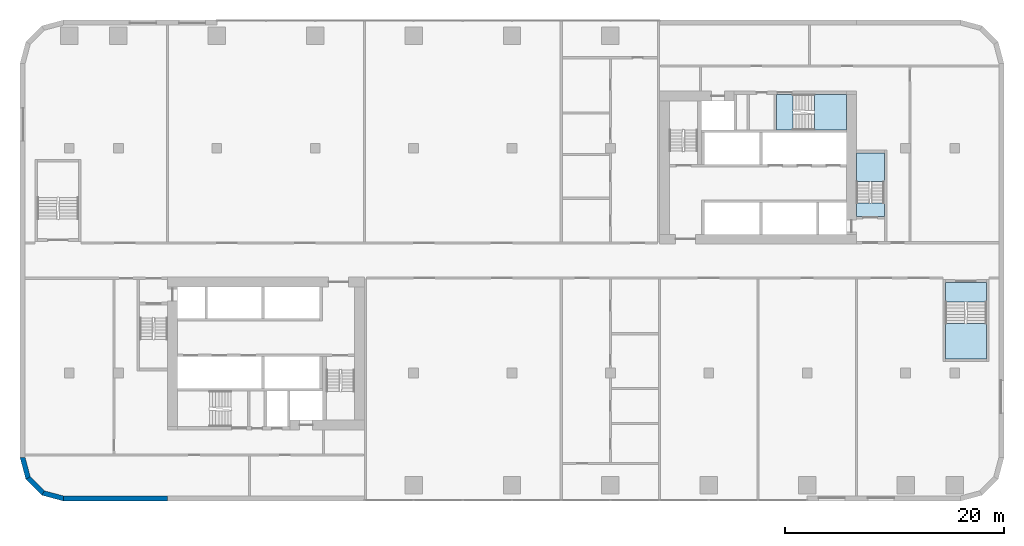
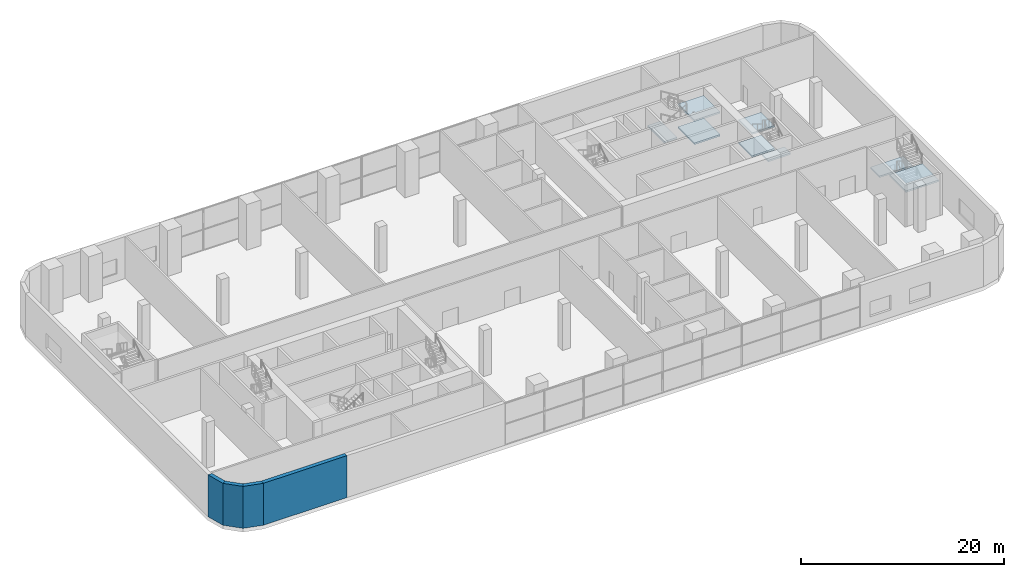
# One storey, part 8 of 21: 8 slabs, 4 walls, 3 elements without a shape of their own.
"""IFC4 building model written with IfcOpenShell, lengths in metres."""

from ifc_helpers import new_model, si_unit, direction, frame, frame_2d, origin, place, context, subcontext, project, spatial, polyline, rectangle, outline, extrude, material, layer, layer_set, type_object, element, aggregate, save


model = new_model("IFC4")

# Units and contexts
model_context = context("Model", 3, precision=1e-05, world=origin(), true_north=direction((0.0, 1.0)))
body_context = subcontext(model_context, "Body", "Model", "MODEL_VIEW")
ifc_project = project(units=[si_unit("LENGTHUNIT", "METRE"), si_unit("AREAUNIT", "SQUARE_METRE"), si_unit("VOLUMEUNIT", "CUBIC_METRE"), si_unit("PLANEANGLEUNIT", "RADIAN"), si_unit("MASSUNIT", "GRAM", prefix="KILO")], contexts=[model_context])

# Site, building, storey
site_placement = place(None, origin())
site = spatial("IfcSite", under=ifc_project, at=site_placement, CompositionType="ELEMENT")
building_placement = place(site_placement, origin())
building = spatial("IfcBuilding", under=site, at=building_placement, Name="Kajstack Hotel Tower", CompositionType="ELEMENT")
storey_placement = place(building_placement, frame((0.0, 0.0, 23.5)))
storey = spatial("IfcBuildingStorey", under=building, at=storey_placement, Name="L03", CompositionType="ELEMENT", Elevation=23.5)

# Stair, slabs
ifc_material_1 = material(Name="Concrete C40/50", Category="concrete")
stair_type_1 = type_object("IfcStairType", Name="Exit stair 1200", PredefinedType="HALF_TURN_STAIR", material=ifc_material_1)
stair_1_placement = place(storey_placement, origin())
stair_1 = element("IfcStair", 1, at=stair_1_placement, inside=storey, type_object=stair_type_1, Name="L03 stair E1", PredefinedType="HALF_TURN_STAIR")
ifc_layer_1 = layer(ifc_material_1, 0.199951171875)
ifc_layer_set_1 = layer_set([ifc_layer_1], Name="Stair landing 200")
slab_type = type_object("IfcSlabType", Name="Stair landing 200", PredefinedType="LANDING", material=ifc_layer_set_1)
slab_1_placement = place(storey_placement, frame((0.0, 0.0, 1.175048828125)))
slab_1 = element("IfcSlab", 2, at=slab_1_placement, type_object=slab_type, Name="E1 landing 1", PredefinedType="LANDING", context=body_context, shape_type="SweptSolid", body=[
    extrude(outline(polyline([(34.050048828125, 7.2099609375), (34.050048828125, 9.85009765625), (31.5, 9.85009765625), (31.5, 7.2099609375), (34.050048828125, 7.2099609375)])), origin(), (0.0, 0.0, 1.0), 0.199951171875),
])
slab_2_placement = place(storey_placement, frame((0.0, 0.0, 2.550048828125)))
slab_2 = element("IfcSlab", 3, at=slab_2_placement, type_object=slab_type, Name="E1 landing 2", PredefinedType="LANDING", context=body_context, shape_type="SweptSolid", body=[
    extrude(outline(polyline([(34.050048828125, 4.050048828125), (34.050048828125, 5.25), (31.5, 5.25), (31.5, 4.050048828125), (34.050048828125, 4.050048828125)])), origin(), (0.0, 0.0, 1.0), 0.199951171875),
])
slab_3_placement = place(storey_placement, frame((0.0, 0.0, 3.925048828125)))
slab_3 = element("IfcSlab", 4, at=slab_3_placement, type_object=slab_type, Name="E1 landing 3", PredefinedType="LANDING", context=body_context, shape_type="SweptSolid", body=[
    extrude(outline(polyline([(34.050048828125, 7.2099609375), (34.050048828125, 9.85009765625), (31.5, 9.85009765625), (31.5, 7.2099609375), (34.050048828125, 7.2099609375)])), origin(), (0.0, 0.0, 1.0), 0.199951171875),
])
aggregate(stair_1, [slab_1, slab_2, slab_3])

stair_type_2 = type_object("IfcStairType", Name="Exit stair 1500", PredefinedType="HALF_TURN_STAIR", material=ifc_material_1)
stair_2_placement = place(storey_placement, origin())
stair_2 = element("IfcStair", 5, at=stair_2_placement, inside=storey, type_object=stair_type_2, Name="L03 stair E3", PredefinedType="HALF_TURN_STAIR")
slab_4_placement = place(storey_placement, frame((0.0, 0.0, 1.175048828125)))
slab_4 = element("IfcSlab", 6, at=slab_4_placement, type_object=slab_type, Name="E3 landing 1", PredefinedType="LANDING", context=body_context, shape_type="SweptSolid", body=[
    extrude(outline(polyline([(27.659912109375, 11.949951171875), (30.60009765625, 11.949951171875), (30.60009765625, 15.199951171875), (27.659912109375, 15.199951171875), (27.659912109375, 11.949951171875)])), origin(), (0.0, 0.0, 1.0), 0.199951171875),
])
slab_5_placement = place(storey_placement, frame((0.0, 0.0, 2.550048828125)))
slab_5 = element("IfcSlab", 7, at=slab_5_placement, type_object=slab_type, Name="E3 landing 2", PredefinedType="LANDING", context=body_context, shape_type="SweptSolid", body=[
    extrude(outline(polyline([(24.199951171875, 11.949951171875), (25.699951171875, 11.949951171875), (25.699951171875, 15.199951171875), (24.199951171875, 15.199951171875), (24.199951171875, 11.949951171875)])), origin(), (0.0, 0.0, 1.0), 0.199951171875),
])
slab_6_placement = place(storey_placement, frame((0.0, 0.0, 3.925048828125)))
slab_6 = element("IfcSlab", 8, at=slab_6_placement, type_object=slab_type, Name="E3 landing 3", PredefinedType="LANDING", context=body_context, shape_type="SweptSolid", body=[
    extrude(outline(polyline([(27.659912109375, 11.949951171875), (30.60009765625, 11.949951171875), (30.60009765625, 15.199951171875), (27.659912109375, 15.199951171875), (27.659912109375, 11.949951171875)])), origin(), (0.0, 0.0, 1.0), 0.199951171875),
])
aggregate(stair_2, [slab_4, slab_5, slab_6])

stair_type_3 = type_object("IfcStairType", Name="Escape stair 1800", PredefinedType="HALF_TURN_STAIR", material=ifc_material_1)
stair_3_placement = place(storey_placement, origin())
stair_3 = element("IfcStair", 9, at=stair_3_placement, inside=storey, type_object=stair_type_3, Name="L03 stair P2", PredefinedType="HALF_TURN_STAIR")
slab_7_placement = place(storey_placement, frame((0.0, 0.0, 2.550048828125)))
slab_7 = element("IfcSlab", 10, at=slab_7_placement, type_object=slab_type, Name="P2 landing 2", PredefinedType="LANDING", context=body_context, shape_type="SweptSolid", body=[
    extrude(outline(polyline([(39.64990234375, -2.0), (39.64990234375, -3.800048828125), (43.39990234375, -3.800048828125), (43.39990234375, -2.0), (39.64990234375, -2.0)])), origin(), (0.0, 0.0, 1.0), 0.199951171875),
])
slab_8_placement = place(storey_placement, frame((0.0, 0.0, 3.925048828125)))
slab_8 = element("IfcSlab", 11, at=slab_8_placement, type_object=slab_type, Name="P2 landing 3", PredefinedType="LANDING", context=body_context, shape_type="SweptSolid", body=[
    extrude(outline(polyline([(39.64990234375, -5.760009765625), (39.64990234375, -9.0), (43.39990234375, -9.0), (43.39990234375, -5.760009765625), (39.64990234375, -5.760009765625)])), origin(), (0.0, 0.0, 1.0), 0.199951171875),
])
aggregate(stair_3, [slab_7, slab_8])

# Walls
ifc_material_2 = material(Name="Terracotta-faced brick masonry", Category="masonry")
ifc_layer_2 = layer(ifc_material_2, 0.449951171875)
ifc_layer_set_2 = layer_set([ifc_layer_2], Name="EW-TERRA")
wall_type = type_object("IfcWallType", Name="EW-TERRA", PredefinedType="SOLIDWALL", material=ifc_layer_set_2)
wall_1_placement = place(storey_placement, frame((-44.78271484375, -17.941650390625, 0.0), z_axis=(0.0, 0.0, 1.0), x_axis=(0.25881466832, -0.965926999034, 0.0)))
element("IfcWall", 12, at=wall_1_placement, inside=storey, type_object=wall_type, Name="E-wall-L03-00-00", PredefinedType="SOLIDWALL", context=body_context, shape_type="SweptSolid", body=[
    extrude(outline(polyline([(0.000244140625, -0.22509765625), (2.070556640625, -0.224853515625), (1.9501953125, 0.22509765625), (0.12060546875, 0.22509765625), (0.000244140625, -0.22509765625)])), origin(), (0.0, 0.0, 1.0), 5.050048828125),
])
wall_2_placement = place(storey_placement, frame((-44.304931640625, -19.8408203125, 0.0), z_axis=(0.0, 0.0, 1.0), x_axis=(0.707106781187, -0.707106781187, 0.0)))
element("IfcWall", 13, at=wall_2_placement, inside=storey, type_object=wall_type, Name="E-wall-L03-01-00", PredefinedType="SOLIDWALL", context=body_context, shape_type="SweptSolid", body=[
    extrude(outline(polyline([(0.0, -0.22509765625), (2.070556640625, -0.22509765625), (1.949951171875, 0.224853515625), (0.12060546875, 0.224853515625), (0.0, -0.22509765625)])), origin(), (0.0, 0.0, 1.0), 5.050048828125),
])
wall_3_placement = place(storey_placement, frame((-42.941650390625, -21.246826171875, 0.0), z_axis=(0.0, 0.0, 1.0), x_axis=(0.965926999034, -0.25881466832, 0.0)))
element("IfcWall", 14, at=wall_3_placement, inside=storey, type_object=wall_type, Name="E-wall-L03-02-00", PredefinedType="SOLIDWALL", context=body_context, shape_type="SweptSolid", body=[
    extrude(outline(polyline([(-0.000244140625, -0.224853515625), (2.0703125, -0.22509765625), (1.949951171875, 0.22509765625), (0.120361328125, 0.22509765625), (-0.000244140625, -0.224853515625)])), origin(), (0.0, 0.0, 1.0), 5.050048828125),
])
wall_4_placement = place(storey_placement, frame((-41.0, -21.77490234375, 0.0), z_axis=(0.0, 0.0, 1.0), x_axis=(1.0, 0.0, 0.0)))
element("IfcWall", 15, at=wall_4_placement, inside=storey, type_object=wall_type, Name="E-wall-L03-03-00", PredefinedType="SOLIDWALL", context=body_context, shape_type="SweptSolid", body=[
    extrude(rectangle(XDim=9.5, YDim=0.449951171875, at=frame_2d((4.75, 0.0))), origin(), (0.0, 0.0, 1.0), 5.050048828125),
])

save(model, "model.ifc")
